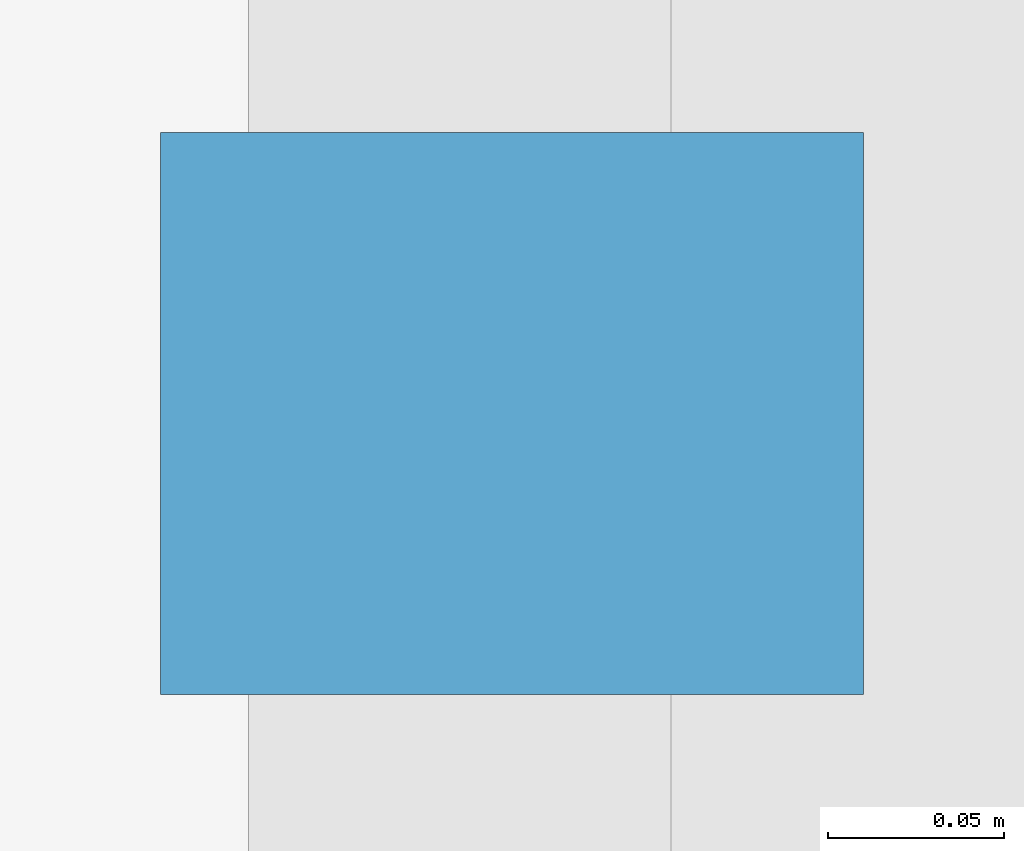
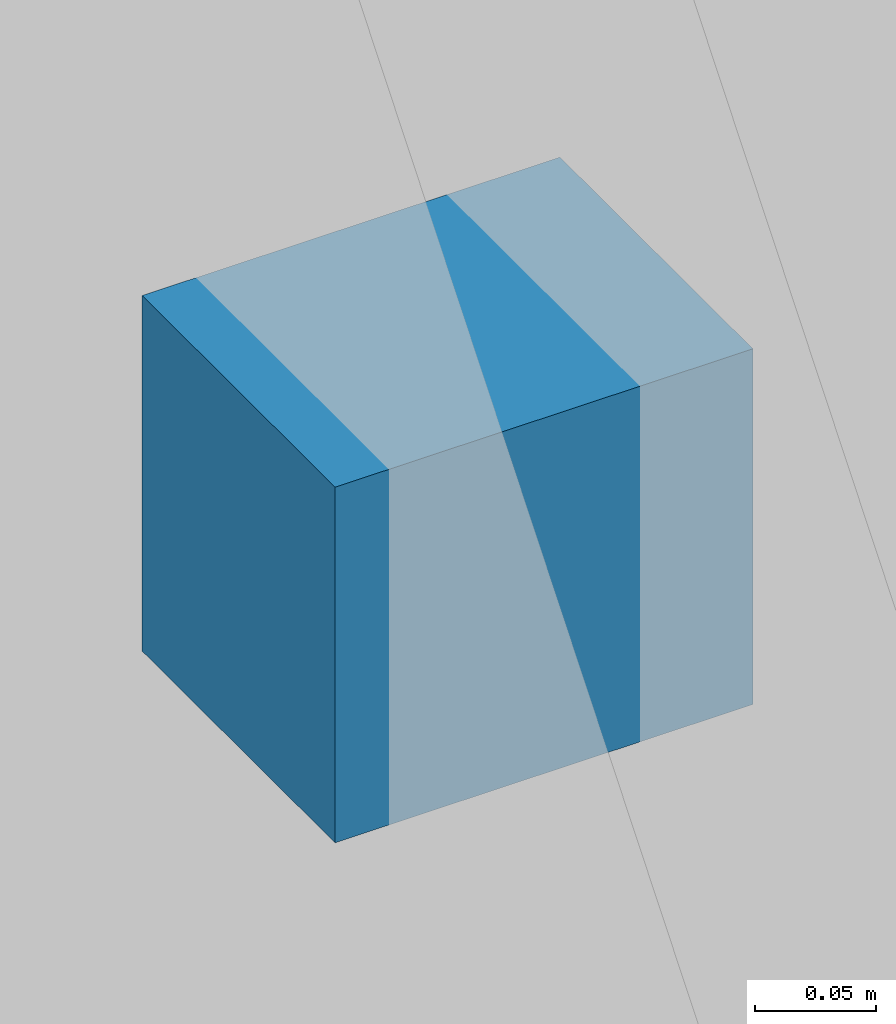
# One storey, part 18 of 22: 1 discrete accessory.
"""IFC4 building model written with IfcOpenShell, lengths in metres."""

from ifc_helpers import new_model, si_unit, direction, frame, origin, origin_2d, place, context, subcontext, project, spatial, rectangle, extrude, material, type_object, element, save


model = new_model("IFC4")

# Units and contexts
model_context = context("Model", 3, precision=1e-05, world=origin(), true_north=direction((0.0, 1.0)))
body_context = subcontext(model_context, "Body", "Model", "MODEL_VIEW")
ifc_project = project(units=[si_unit("LENGTHUNIT", "METRE"), si_unit("AREAUNIT", "SQUARE_METRE"), si_unit("VOLUMEUNIT", "CUBIC_METRE"), si_unit("PLANEANGLEUNIT", "RADIAN"), si_unit("MASSUNIT", "GRAM", prefix="KILO")], contexts=[model_context])

# Site, building, storey
site_placement = place(None, origin())
site = spatial("IfcSite", under=ifc_project, at=site_placement, CompositionType="ELEMENT")
building_placement = place(site_placement, origin())
building = spatial("IfcBuilding", under=site, at=building_placement, Name="Koriwani Terraces Tower", CompositionType="ELEMENT")
storey_placement = place(building_placement, frame((0.0, 0.0, 141.800048828125)))
storey = spatial("IfcBuildingStorey", under=building, at=storey_placement, Name="L34", CompositionType="ELEMENT", Elevation=141.800048828125)

# Discrete accessory
ifc_material = material(Name="Steel ASTM A572 Grade 50", Category="steel")
discrete_accessory_type = type_object("IfcDiscreteAccessoryType", Name="BAGUETTE_STANDOFF_BRACKET", PredefinedType="BRACKET", material=ifc_material)
discrete_accessory_placement = place(storey_placement, frame((33.2099609375, 79.800048828125, 1.68505859375), z_axis=(0.0, 0.0, 1.0), x_axis=(0.0, -1.0, 0.0)))
element("IfcDiscreteAccessory", 1, at=discrete_accessory_placement, inside=storey, type_object=discrete_accessory_type, Name="L34 Terracotta Baguette Bracket (NW_IN-17)", PredefinedType="BRACKET", context=body_context, shape_type="SweptSolid", body=[
    extrude(rectangle(XDim=0.159912109375, YDim=0.199951171875, at=origin_2d()), origin(), (0.0, 0.0, 1.0), 0.179931640625),
])

save(model, "model.ifc")
